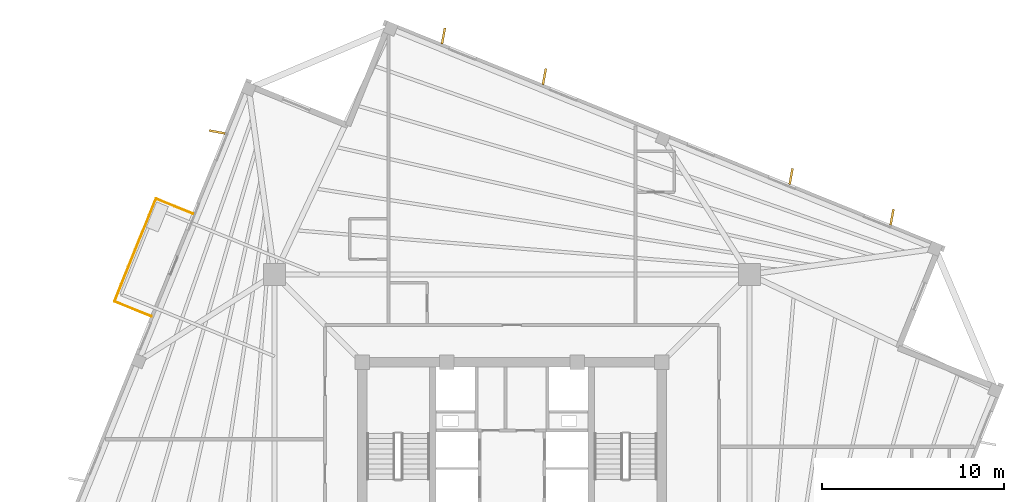
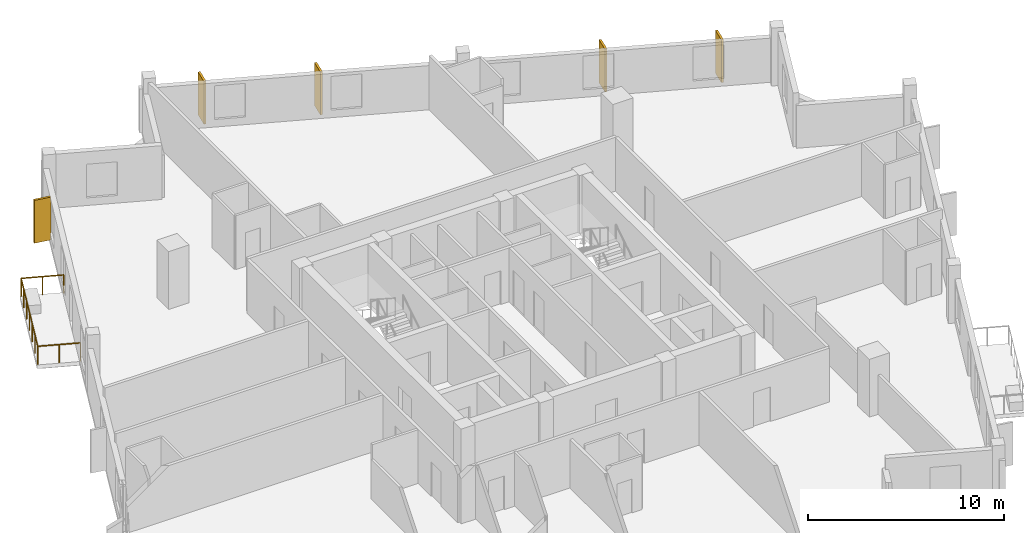
# One storey, part 9 of 9: 5 coverings, 3 railings.
"""IFC4 building model written with IfcOpenShell, lengths in metres."""

import ifcopenshell
import ifcopenshell.guid

model = None  # the IFC model being written
_history = None  # IfcOwnerHistory: only IFC2X3 demands one
_inside = {}  # id of a spatial element -> (the spatial element, [elements in it])
_under = {}  # id of a project, library or spatial element -> (it, [spatial elements below it])
_declared = {}  # id of a project -> (the project, [libraries it declares])
_typed = {}  # id of a type object -> (the type object, [elements of that type])
_made_of = {}  # id of a material, layer set ... -> (it, [elements and type objects made of it])


def new_model(schema):
    """Start an empty IFC model of exactly this schema.

    Asked for "IFC4X3", IfcOpenShell would pick the latest addendum, in which some entities
    have other attributes; the version numbers below select the first issue.
    IFC2X3 requires an IfcOwnerHistory on every rooted entity: one is made here for all.
    """
    global model, _history
    if schema == "IFC4X3":
        model = ifcopenshell.file(schema_version=(4, 3, 0, 0))
    else:
        model = ifcopenshell.file(schema=schema)
    _inside.clear()
    _under.clear()
    _declared.clear()
    _typed.clear()
    _made_of.clear()
    _history = None
    if model.schema == "IFC2X3":
        org = make("IfcOrganization", Name="unknown")
        user = make(
            "IfcPersonAndOrganization",
            ThePerson=make("IfcPerson", FamilyName="unknown"),
            TheOrganization=org,
        )
        app = make(
            "IfcApplication",
            ApplicationDeveloper=org,
            Version="unknown",
            ApplicationFullName="unknown",
            ApplicationIdentifier="unknown",
        )
        _history = make(
            "IfcOwnerHistory",
            OwningUser=user,
            OwningApplication=app,
            ChangeAction="ADDED",
            CreationDate=0,
        )
    return model


def make(cls, **values):
    """One entity of the class cls with the attributes given. An attribute that is None is left unset."""
    return model.create_entity(
        cls, **{name: value for name, value in values.items() if value is not None}
    )


def rooted(cls, **values):
    """An entity with a GlobalId (a new one), such as an element, a storey or a relation."""
    return make(cls, GlobalId=ifcopenshell.guid.new(), OwnerHistory=_history, **values)


def si_unit(unit_type, name, prefix=None):
    """IfcSIUnit, for example si_unit("LENGTHUNIT", "METRE", prefix="MILLI")."""
    return make("IfcSIUnit", UnitType=unit_type, Prefix=prefix, Name=name)


def assignment(units):
    """IfcUnitAssignment: the units of a project."""
    return None if units is None else make("IfcUnitAssignment", Units=units)


def point(xyz):
    """IfcCartesianPoint."""
    return None if xyz is None else make("IfcCartesianPoint", Coordinates=xyz)


def direction(xyz):
    """IfcDirection."""
    return None if xyz is None else make("IfcDirection", DirectionRatios=xyz)


def frame(location, z_axis=None, x_axis=None):
    """IfcAxis2Placement3D, a coordinate frame: its origin and axes. An axis left out is left unset."""
    return make(
        "IfcAxis2Placement3D",
        Location=point(location),
        Axis=direction(z_axis),
        RefDirection=direction(x_axis),
    )


def frame_2d(location, x_axis=None):
    """IfcAxis2Placement2D, a coordinate frame in the plane: its origin and x axis."""
    return make(
        "IfcAxis2Placement2D", Location=point(location), RefDirection=direction(x_axis)
    )


def origin():
    """The frame at (0, 0, 0) with its axes left unset."""
    return frame((0.0, 0.0, 0.0))


def origin_2d():
    """The frame at (0, 0) in the plane with its x axis left unset."""
    return frame_2d((0.0, 0.0))


def place(relative_to, where):
    """IfcLocalPlacement: puts the frame where relative to a parent placement (None: the world)."""
    return make(
        "IfcLocalPlacement", PlacementRelTo=relative_to, RelativePlacement=where
    )


def context(
    kind, dimensions, precision=None, world=None, true_north=None, identifier=None
):
    """IfcGeometricRepresentationContext, for example the 3D "Model" context."""
    return make(
        "IfcGeometricRepresentationContext",
        ContextIdentifier=identifier,
        ContextType=kind,
        CoordinateSpaceDimension=dimensions,
        Precision=precision,
        WorldCoordinateSystem=world,
        TrueNorth=true_north,
    )


def subcontext(parent, identifier, kind, view, scale=None):
    """IfcGeometricRepresentationSubContext, for example "Body" below "Model"."""
    return make(
        "IfcGeometricRepresentationSubContext",
        ContextIdentifier=identifier,
        ContextType=kind,
        ParentContext=parent,
        TargetScale=scale,
        TargetView=view,
    )


def project(units=None, contexts=None):
    """IfcProject with its units and contexts."""
    return rooted(
        "IfcProject",
        Name="project",
        RepresentationContexts=contexts,
        UnitsInContext=assignment(units),
    )


def spatial(cls, under=None, at=None, **own):
    """A site, building, storey or space (cls), placed at a placement, below another one or the project."""
    s = rooted(cls, ObjectPlacement=at, **own)
    if under is not None:
        _under.setdefault(under.id(), (under, []))[1].append(s)
    return s


def profile(cls, at=None, kind="AREA", **sizes):
    """A parametric profile (cls). Its sizes go by their IFC names, for example OverallWidth=200.0."""
    return make(cls, ProfileType=kind, Position=at, **sizes)


def rectangle(**sizes):
    """IfcRectangleProfileDef."""
    return profile("IfcRectangleProfileDef", **sizes)


def circle(**sizes):
    """IfcCircleProfileDef."""
    return profile("IfcCircleProfileDef", **sizes)


def extrude(swept, where, along, depth):
    """IfcExtrudedAreaSolid: the profile swept, set in the frame where, extruded along a direction by depth."""
    return make(
        "IfcExtrudedAreaSolid",
        SweptArea=swept,
        Position=where,
        ExtrudedDirection=direction(along),
        Depth=depth,
    )


def shape(context_of_items, identifier, shape_type, items):
    """IfcShapeRepresentation: the items that make up one representation, for example the "Body"."""
    return make(
        "IfcShapeRepresentation",
        ContextOfItems=context_of_items,
        RepresentationIdentifier=identifier,
        RepresentationType=shape_type,
        Items=items,
    )


def source(mapping_origin, context_of_items, identifier, shape_type, items):
    """IfcRepresentationMap: a shape defined once, which mapped items show again and again."""
    return make(
        "IfcRepresentationMap",
        MappingOrigin=mapping_origin,
        MappedRepresentation=shape(context_of_items, identifier, shape_type, items),
    )


def transform(
    local_origin,
    x_axis=None,
    y_axis=None,
    z_axis=None,
    scale=None,
    scale2=None,
    scale3=None,
    uniform=True,
):
    """IfcCartesianTransformationOperator3D, or its non-uniform kind. x_axis, y_axis, z_axis: its Axis1, 2, 3."""
    if uniform:
        return make(
            "IfcCartesianTransformationOperator3D",
            Axis1=direction(x_axis),
            Axis2=direction(y_axis),
            LocalOrigin=point(local_origin),
            Scale=scale,
            Axis3=direction(z_axis),
        )
    return make(
        "IfcCartesianTransformationOperator3DnonUniform",
        Axis1=direction(x_axis),
        Axis2=direction(y_axis),
        LocalOrigin=point(local_origin),
        Scale=scale,
        Axis3=direction(z_axis),
        Scale2=scale2,
        Scale3=scale3,
    )


def mapped(mapping_source, mapping_target):
    """IfcMappedItem: shows the shape of a source again, moved by a transform."""
    return make(
        "IfcMappedItem", MappingSource=mapping_source, MappingTarget=mapping_target
    )


def material(Name=None, Category=None):
    """IfcMaterial."""
    return make("IfcMaterial", Name=Name, Category=Category)


def layer(
    of_material, thickness, ventilated=None, Name=None, Category=None, Priority=None
):
    """IfcMaterialLayer: one layer of a wall or slab, of a material (None: an air gap)."""
    return make(
        "IfcMaterialLayer",
        Material=of_material,
        LayerThickness=thickness,
        IsVentilated=ventilated,
        Name=Name,
        Category=Category,
        Priority=Priority,
    )


def layer_set(layers, Name=None):
    """IfcMaterialLayerSet."""
    return make("IfcMaterialLayerSet", MaterialLayers=layers, LayerSetName=Name)


def made_of(thing, what):
    """Note that an element or type object is made of a material, layer set ...; save() writes the relation."""
    if what is not None:
        _made_of.setdefault(what.id(), (what, []))[1].append(thing)
    return thing


def type_object(cls, material=None, **own):
    """A type object (cls), such as IfcWallType, which elements share."""
    return made_of(rooted(cls, **own), material)


def element(
    cls,
    number,
    at=None,
    inside=None,
    cuts=None,
    type_object=None,
    material=None,
    context=None,
    identifier="Body",
    shape_type=None,
    held_by="IfcProductDefinitionShape",
    body=None,
    shapes=None,
    **own,
):
    """One element of the class cls, such as IfcWall. Its Tag is "e" and its number.

    at: its placement. inside: the storey or other place that contains it. cuts: it is an
    opening in that element (IfcRelVoidsElement). A single representation is given by context,
    identifier, shape_type and body (its items); several are given by shapes. held_by: the class
    of the entity that holds the representations. save() writes the other relations.
    """
    e = rooted(cls, Tag="e%d" % number, ObjectPlacement=at, **own)
    if body is not None:
        shapes = [shape(context, identifier, shape_type, body)]
    if shapes is not None:
        e.Representation = make(held_by, Representations=shapes)
    if inside is not None:
        _inside.setdefault(inside.id(), (inside, []))[1].append(e)
    if cuts is not None:
        rooted(
            "IfcRelVoidsElement", RelatingBuildingElement=cuts, RelatedOpeningElement=e
        )
    if type_object is not None:
        _typed.setdefault(type_object.id(), (type_object, []))[1].append(e)
    return made_of(e, material)


def aggregate(whole, parts):
    """IfcRelAggregates: a whole, such as a stair, and the parts it consists of."""
    return rooted("IfcRelAggregates", RelatingObject=whole, RelatedObjects=parts)


def save(model, path):
    """Write the relations noted so far, then the file.

    IfcRelAggregates (storeys below a building ...), IfcRelContainedInSpatialStructure (elements
    in a storey), IfcRelDefinesByType, IfcRelAssociatesMaterial and IfcRelDeclares: one each for
    every whole, place, type object, material and project.
    """
    for whole, parts in _under.values():
        aggregate(whole, parts)
    for where, things in _inside.values():
        rooted(
            "IfcRelContainedInSpatialStructure",
            RelatedElements=things,
            RelatingStructure=where,
        )
    for kind, things in _typed.values():
        rooted("IfcRelDefinesByType", RelatedObjects=things, RelatingType=kind)
    for what, things in _made_of.values():
        rooted("IfcRelAssociatesMaterial", RelatedObjects=things, RelatingMaterial=what)
    for by, libraries in _declared.values():
        rooted("IfcRelDeclares", RelatingContext=by, RelatedDefinitions=libraries)
    model.write(path)


model = new_model("IFC4")

# Units and contexts
model_context = context("Model", 3, precision=1e-05, world=origin(), true_north=direction((0.0, 1.0)))
body_context = subcontext(model_context, "Body", "Model", "MODEL_VIEW")
ifc_project = project(units=[si_unit("LENGTHUNIT", "METRE"), si_unit("AREAUNIT", "SQUARE_METRE"), si_unit("VOLUMEUNIT", "CUBIC_METRE"), si_unit("PLANEANGLEUNIT", "RADIAN"), si_unit("MASSUNIT", "GRAM", prefix="KILO"), si_unit("THERMODYNAMICTEMPERATUREUNIT", "KELVIN")], contexts=[model_context])

# Site, building, storey
site_placement = place(None, origin())
site = spatial("IfcSite", under=ifc_project, at=site_placement, CompositionType="ELEMENT")
building_placement = place(site_placement, origin())
building = spatial("IfcBuilding", under=site, at=building_placement, Name="Kosmvard Interchange Tower", CompositionType="ELEMENT")
storey_placement = place(building_placement, frame((0.0, 0.0, 272.39990234375)))
storey = spatial("IfcBuildingStorey", under=building, at=storey_placement, Name="L66", CompositionType="ELEMENT", Elevation=272.39990234375)

# Railing
ifc_material_1 = material(Name="Steel S355", Category="steel")
railing_type = type_object("IfcRailingType", Name="Observation & Balcony Glass-Infill Balustrade 1150", PredefinedType="BALUSTRADE", material=ifc_material_1)
shared_shape_1 = source(origin(), body_context, "Body", "SweptSolid", [
    extrude(circle(Radius=0.02392578125, at=origin_2d()), frame((0.0, 0.0, 1.1259765625), z_axis=(-0.927208487558, 0.374545618852, 0.0), x_axis=(-0.374545618852, -0.927208487558, 0.0)), (0.0, 0.0, 1.0), 2.199951171875),
    extrude(circle(Radius=0.02099609375, at=origin_2d()), origin(), (0.0, 0.0, 1.0), 1.101806640625),
    extrude(circle(Radius=0.02099609375, at=origin_2d()), frame((-1.02001953125, 0.412109375, 0.0)), (0.0, 0.0, 1.0), 1.101806640625),
    extrude(circle(Radius=0.02099609375, at=origin_2d()), frame((-2.039794921875, 0.823974609375, 0.0)), (0.0, 0.0, 1.0), 1.101806640625),
])
railing_1_placement = place(storey_placement, frame((-17.574951171875, 16.43017578125, 0.0)))
element("IfcRailing", 1, at=railing_1_placement, inside=storey, type_object=railing_type, Name="L66 Outdoor Terrace Guard BAL-L66-N-A", PredefinedType="BALUSTRADE", context=body_context, shape_type="MappedRepresentation", body=[
    mapped(shared_shape_1, transform((0.0, 0.0, 0.0), scale=1.0)),
])

# Coverings
ifc_material_2 = material(Name="Architectural anodised aluminium", Category="aluminium")
ifc_layer = layer(ifc_material_2, 0.1201171875, Name="Architectural anodised aluminium")
ifc_layer_set = layer_set([ifc_layer], Name="Architectural anodised aluminium")
covering_type = type_object("IfcCoveringType", Name="Rotating Vertical Sun-Breaker Fin 900x120 Aluminium", PredefinedType="CLADDING", material=ifc_layer_set)
shared_shape_2 = source(origin(), body_context, "Body", "SweptSolid", [
    extrude(rectangle(XDim=0.89990234375, YDim=0.1201171875, at=origin_2d()), origin(), (0.0, 0.0, 1.0), 2.669921875),
])
for number, where, z_axis, x_axis, name in (
    (2, (20.932373046875, 16.2412109375, 0.0400390625), (0.0, 0.0, 1.0), (0.182407133071, 0.983223086489, 0.0), "L66 Rotating Vertical Sun-Breaker Fin 04"),
    (3, (15.373046875, 18.4873046875, 0.0400390625), (0.0, 0.0, 1.0), (0.182407133071, 0.983223086489, 0.0), "L66 Rotating Vertical Sun-Breaker Fin 05"),
    (4, (1.783935546875, 23.977783203125, 0.0400390625), (0.0, 0.0, 1.0), (0.182407133071, 0.983223086489, 0.0), "L66 Rotating Vertical Sun-Breaker Fin 06"),
    (5, (-3.775390625, 26.223876953125, 0.0400390625), (0.0, 0.0, 1.0), (0.182407133071, 0.983223086489, 0.0), "L66 Rotating Vertical Sun-Breaker Fin 07"),
    (6, (-16.2412109375, 20.932373046875, 0.0400390625), (0.0, 0.0, 1.0), (-0.983223086489, 0.182407133071, 0.0), "L66 Rotating Vertical Sun-Breaker Fin 08"),
):
    element("IfcCovering", number, at=place(storey_placement, frame(where, z_axis=z_axis, x_axis=x_axis)), inside=storey, type_object=covering_type, Name=name, PredefinedType="CLADDING", context=body_context, shape_type="MappedRepresentation", body=[
        mapped(shared_shape_2, transform((0.0, 0.0, 0.0), scale=1.0)),
    ])

# Railings
shared_shape_3 = source(origin(), body_context, "Body", "SweptSolid", [
    extrude(circle(Radius=0.02392578125, at=origin_2d()), frame((0.0, 0.0, 1.1259765625), z_axis=(-0.374617894384, -0.927179288599, 0.0), x_axis=(0.927179288599, -0.374617894384, 0.0)), (0.0, 0.0, 1.0), 6.099853515625),
    extrude(circle(Radius=0.02099609375, at=origin_2d()), origin(), (0.0, 0.0, 1.0), 1.101806640625),
    extrude(circle(Radius=0.02099609375, at=origin_2d()), frame((-0.380859375, -0.942626953125, 0.0)), (0.0, 0.0, 1.0), 1.101806640625),
    extrude(circle(Radius=0.02099609375, at=origin_2d()), frame((-0.76171875, -1.88525390625, 0.0)), (0.0, 0.0, 1.0), 1.101806640625),
    extrude(circle(Radius=0.02099609375, at=origin_2d()), frame((-1.142578125, -2.827880859375, 0.0)), (0.0, 0.0, 1.0), 1.101806640625),
    extrude(circle(Radius=0.02099609375, at=origin_2d()), frame((-1.5234375, -3.7705078125, 0.0)), (0.0, 0.0, 1.0), 1.101806640625),
    extrude(circle(Radius=0.02099609375, at=origin_2d()), frame((-1.904296875, -4.713134765625, 0.0)), (0.0, 0.0, 1.0), 1.101806640625),
    extrude(circle(Radius=0.02099609375, at=origin_2d()), frame((-2.28515625, -5.65576171875, 0.0)), (0.0, 0.0, 1.0), 1.101806640625),
])
railing_2_placement = place(storey_placement, frame((-19.61474609375, 17.254150390625, 0.0)))
element("IfcRailing", 7, at=railing_2_placement, inside=storey, type_object=railing_type, Name="L66 Outdoor Terrace Guard BAL-L66-N-B", PredefinedType="BALUSTRADE", context=body_context, shape_type="MappedRepresentation", body=[
    mapped(shared_shape_3, transform((0.0, 0.0, 0.0), scale=1.0)),
])
shared_shape_4 = source(origin(), body_context, "Body", "SweptSolid", [
    extrude(circle(Radius=0.02392578125, at=origin_2d()), frame((0.0, 0.0, 1.1259765625), z_axis=(0.927169944131, -0.374641021112, 0.0), x_axis=(0.374641021112, 0.927169944131, 0.0)), (0.0, 0.0, 1.0), 2.199951171875),
    extrude(circle(Radius=0.02099609375, at=origin_2d()), origin(), (0.0, 0.0, 1.0), 1.101806640625),
    extrude(circle(Radius=0.02099609375, at=origin_2d()), frame((1.02001953125, -0.412109375, 0.0)), (0.0, 0.0, 1.0), 1.101806640625),
    extrude(circle(Radius=0.02099609375, at=origin_2d()), frame((2.039794921875, -0.82421875, 0.0)), (0.0, 0.0, 1.0), 1.101806640625),
])
railing_3_placement = place(storey_placement, frame((-21.89990234375, 11.598388671875, 0.0)))
element("IfcRailing", 8, at=railing_3_placement, inside=storey, type_object=railing_type, Name="L66 Outdoor Terrace Guard BAL-L66-N-C", PredefinedType="BALUSTRADE", context=body_context, shape_type="MappedRepresentation", body=[
    mapped(shared_shape_4, transform((0.0, 0.0, 0.0), scale=1.0)),
])

save(model, "model.ifc")
